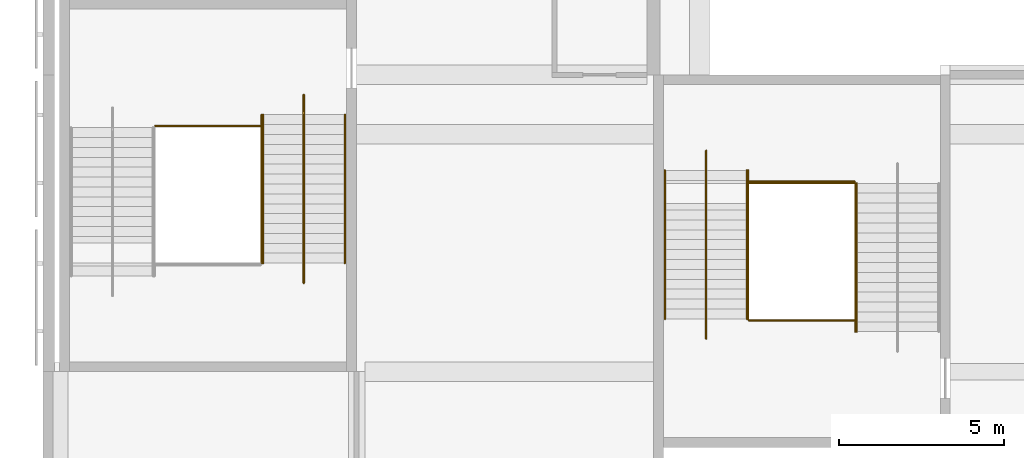
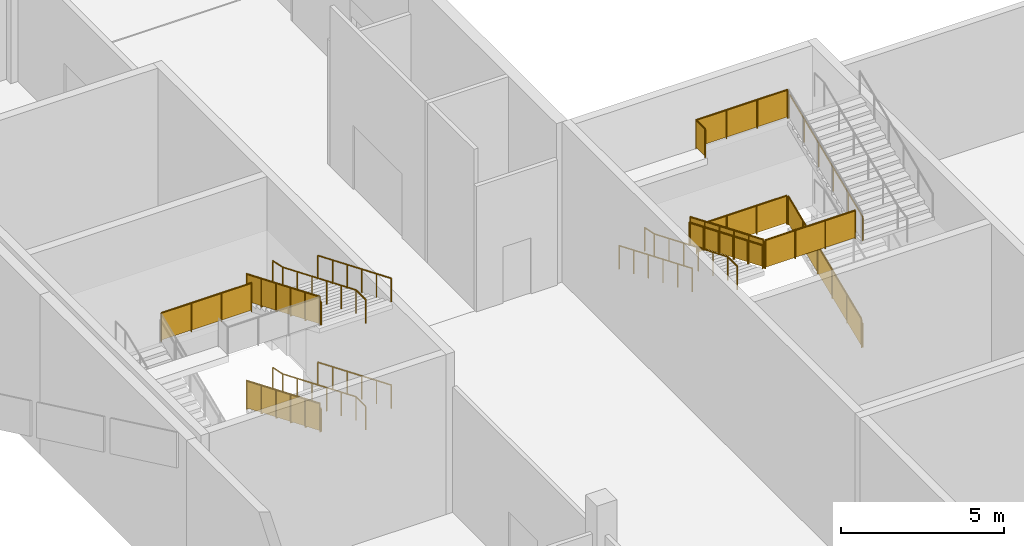
# One storey, part 71 of 89: 19 railings.
"""IFC4 building model written with IfcOpenShell, lengths in metres."""

from ifc_helpers import new_model, si_unit, direction, frame, origin, origin_2d, place, context, subcontext, project, spatial, polyline, circle, outline, extrude, material, type_object, element, save


model = new_model("IFC4")

# Units and contexts
model_context = context("Model", 3, precision=1e-05, world=origin(), true_north=direction((0.0, 1.0)))
body_context = subcontext(model_context, "Body", "Model", "MODEL_VIEW")
ifc_project = project(units=[si_unit("LENGTHUNIT", "METRE"), si_unit("AREAUNIT", "SQUARE_METRE"), si_unit("VOLUMEUNIT", "CUBIC_METRE"), si_unit("PLANEANGLEUNIT", "RADIAN"), si_unit("MASSUNIT", "GRAM", prefix="KILO")], contexts=[model_context])

# Site, building, storey
site_placement = place(None, origin())
site = spatial("IfcSite", under=ifc_project, at=site_placement, CompositionType="ELEMENT")
building_placement = place(site_placement, origin())
building = spatial("IfcBuilding", under=site, at=building_placement, Name="Silverbay Arena", CompositionType="ELEMENT")
storey_placement = place(building_placement, frame((0.0, 0.0, 22.0)))
storey = spatial("IfcBuildingStorey", under=building, at=storey_placement, Name="L03", CompositionType="ELEMENT", Elevation=22.0)

# Railings
ifc_material_1 = material(Name="Stainless steel", Category="steel")
railing_type_1 = type_object("IfcRailingType", Name="Stair guard 1100", PredefinedType="GUARDRAIL", material=ifc_material_1)
railing_1_placement = place(storey_placement, frame((60.125, 61.7900390625, 0.125)))
element("IfcRailing", 1, at=railing_1_placement, inside=storey, type_object=railing_type_1, Name="Stair ST-W1 L03 to L04 flight 1 guard right", PredefinedType="GUARDRAIL", context=body_context, shape_type="SweptSolid", body=[
    extrude(circle(Radius=0.02392578125, at=origin_2d()), frame((0.0, 0.0, 1.076171875), z_axis=(0.0, -0.923076923077, 0.384615384615), x_axis=(1.0, 0.0, 0.0)), (0.0, 0.0, 1.0), 4.875),
    extrude(outline(polyline([(-0.008056640625, 0.046630859375), (0.907958984375, 0.42822265625), (0.907958984375, 1.431396484375), (-0.008056640625, 1.049560546875), (-0.008056640625, 0.046630859375)])), frame((0.0029296875, 0.0, 0.0), z_axis=(-1.0, 0.0, 0.0), x_axis=(0.0, -1.0, 0.0)), (0.0, 0.0, 1.0), 0.006103515625),
    extrude(outline(polyline([(-0.008056640625, 0.421630859375), (0.907958984375, 0.80322265625), (0.907958984375, 1.806396484375), (-0.008056640625, 1.424560546875), (-0.008056640625, 0.421630859375)])), frame((0.0029296875, -0.89990234375, 0.0), z_axis=(-1.0, 0.0, 0.0), x_axis=(0.0, -1.0, 0.0)), (0.0, 0.0, 1.0), 0.006103515625),
    extrude(outline(polyline([(-0.008056640625, 0.796630859375), (0.907958984375, 1.17822265625), (0.907958984375, 2.181396484375), (-0.008056640625, 1.799560546875), (-0.008056640625, 0.796630859375)])), frame((0.0029296875, -1.800048828125, 0.0), z_axis=(-1.0, 0.0, 0.0), x_axis=(0.0, -1.0, 0.0)), (0.0, 0.0, 1.0), 0.006103515625),
    extrude(outline(polyline([(-0.008056640625, 1.171630859375), (0.907958984375, 1.55322265625), (0.907958984375, 2.556396484375), (-0.008056640625, 2.174560546875), (-0.008056640625, 1.171630859375)])), frame((0.0029296875, -2.699951171875, 0.0), z_axis=(-1.0, 0.0, 0.0), x_axis=(0.0, -1.0, 0.0)), (0.0, 0.0, 1.0), 0.006103515625),
    extrude(outline(polyline([(-0.008056640625, 1.546630859375), (0.907958984375, 1.92822265625), (0.907958984375, 2.931396484375), (-0.008056640625, 2.549560546875), (-0.008056640625, 1.546630859375)])), frame((0.0029296875, -3.60009765625, 0.0), z_axis=(-1.0, 0.0, 0.0), x_axis=(0.0, -1.0, 0.0)), (0.0, 0.0, 1.0), 0.006103515625),
    extrude(circle(Radius=0.02099609375, at=origin_2d()), origin(), (0.0, 0.0, 1.0), 1.052001953125),
    extrude(circle(Radius=0.02099609375, at=origin_2d()), frame((0.0, -0.89990234375, 0.375)), (0.0, 0.0, 1.0), 1.052001953125),
    extrude(circle(Radius=0.02099609375, at=origin_2d()), frame((0.0, -1.800048828125, 0.75)), (0.0, 0.0, 1.0), 1.052001953125),
    extrude(circle(Radius=0.02099609375, at=origin_2d()), frame((0.0, -2.699951171875, 1.125)), (0.0, 0.0, 1.0), 1.052001953125),
    extrude(circle(Radius=0.02099609375, at=origin_2d()), frame((0.0, -3.60009765625, 1.5)), (0.0, 0.0, 1.0), 1.052001953125),
    extrude(circle(Radius=0.02099609375, at=origin_2d()), frame((0.0, -4.5, 1.875)), (0.0, 0.0, 1.0), 1.052001953125),
])
railing_2_placement = place(storey_placement, frame((60.125, 61.7900390625, 4.125)))
element("IfcRailing", 2, at=railing_2_placement, inside=storey, type_object=railing_type_1, Name="Stair ST-W1 L03 to L04 flight 3 guard right", PredefinedType="GUARDRAIL", context=body_context, shape_type="SweptSolid", body=[
    extrude(circle(Radius=0.02392578125, at=origin_2d()), frame((0.0, 0.0, 1.076171875), z_axis=(0.0, -0.923076923077, 0.384615384615), x_axis=(1.0, 0.0, 0.0)), (0.0, 0.0, 1.0), 4.875),
    extrude(outline(polyline([(-0.008056640625, 0.046630859375), (0.907958984375, 0.42822265625), (0.907958984375, 1.431396484375), (-0.008056640625, 1.049560546875), (-0.008056640625, 0.046630859375)])), frame((0.0029296875, 0.0, 0.0), z_axis=(-1.0, 0.0, 0.0), x_axis=(0.0, -1.0, 0.0)), (0.0, 0.0, 1.0), 0.006103515625),
    extrude(outline(polyline([(-0.008056640625, 0.421630859375), (0.907958984375, 0.80322265625), (0.907958984375, 1.806396484375), (-0.008056640625, 1.424560546875), (-0.008056640625, 0.421630859375)])), frame((0.0029296875, -0.89990234375, 0.0), z_axis=(-1.0, 0.0, 0.0), x_axis=(0.0, -1.0, 0.0)), (0.0, 0.0, 1.0), 0.006103515625),
    extrude(outline(polyline([(-0.008056640625, 0.796630859375), (0.907958984375, 1.17822265625), (0.907958984375, 2.181396484375), (-0.008056640625, 1.799560546875), (-0.008056640625, 0.796630859375)])), frame((0.0029296875, -1.800048828125, 0.0), z_axis=(-1.0, 0.0, 0.0), x_axis=(0.0, -1.0, 0.0)), (0.0, 0.0, 1.0), 0.006103515625),
    extrude(outline(polyline([(-0.008056640625, 1.171630859375), (0.907958984375, 1.55322265625), (0.907958984375, 2.556396484375), (-0.008056640625, 2.174560546875), (-0.008056640625, 1.171630859375)])), frame((0.0029296875, -2.699951171875, 0.0), z_axis=(-1.0, 0.0, 0.0), x_axis=(0.0, -1.0, 0.0)), (0.0, 0.0, 1.0), 0.006103515625),
    extrude(outline(polyline([(-0.008056640625, 1.546630859375), (0.907958984375, 1.92822265625), (0.907958984375, 2.931396484375), (-0.008056640625, 2.549560546875), (-0.008056640625, 1.546630859375)])), frame((0.0029296875, -3.60009765625, 0.0), z_axis=(-1.0, 0.0, 0.0), x_axis=(0.0, -1.0, 0.0)), (0.0, 0.0, 1.0), 0.006103515625),
    extrude(circle(Radius=0.02099609375, at=origin_2d()), origin(), (0.0, 0.0, 1.0), 1.052001953125),
    extrude(circle(Radius=0.02099609375, at=origin_2d()), frame((0.0, -0.89990234375, 0.375)), (0.0, 0.0, 1.0), 1.052001953125),
    extrude(circle(Radius=0.02099609375, at=origin_2d()), frame((0.0, -1.800048828125, 0.75)), (0.0, 0.0, 1.0), 1.052001953125),
    extrude(circle(Radius=0.02099609375, at=origin_2d()), frame((0.0, -2.699951171875, 1.125)), (0.0, 0.0, 1.0), 1.052001953125),
    extrude(circle(Radius=0.02099609375, at=origin_2d()), frame((0.0, -3.60009765625, 1.5)), (0.0, 0.0, 1.0), 1.052001953125),
    extrude(circle(Radius=0.02099609375, at=origin_2d()), frame((0.0, -4.5, 1.875)), (0.0, 0.0, 1.0), 1.052001953125),
])
railing_3_placement = place(storey_placement, frame((60.10009765625, 61.449951171875, 4.0)))
element("IfcRailing", 3, at=railing_3_placement, inside=storey, type_object=railing_type_1, Name="Stair ST-W1 L03 to L04 landing 2 guard", PredefinedType="GUARDRAIL", context=body_context, shape_type="SweptSolid", body=[
    extrude(circle(Radius=0.02392578125, at=origin_2d()), frame((0.0, 0.0, 1.076171875), z_axis=(-1.0, 0.0, 0.0), x_axis=(0.0, -1.0, 0.0)), (0.0, 0.0, 1.0), 3.2001953125),
    extrude(outline(polyline([(-0.008056640625, 0.050048828125), (1.07470703125, 0.050048828125), (1.07470703125, 1.052978515625), (-0.008056640625, 1.052978515625), (-0.008056640625, 0.050048828125)])), frame((0.0, -0.0029296875, 0.0), z_axis=(0.0, 1.0, 0.0), x_axis=(-1.0, 0.0, 0.0)), (0.0, 0.0, 1.0), 0.006103515625),
    extrude(outline(polyline([(-0.008056640625, 0.050048828125), (1.07470703125, 0.050048828125), (1.07470703125, 1.052978515625), (-0.008056640625, 1.052978515625), (-0.008056640625, 0.050048828125)])), frame((-1.066650390625, -0.0029296875, 0.0), z_axis=(0.0, 1.0, 0.0), x_axis=(-1.0, 0.0, 0.0)), (0.0, 0.0, 1.0), 0.006103515625),
    extrude(outline(polyline([(-0.008056640625, 0.050048828125), (1.07470703125, 0.050048828125), (1.07470703125, 1.052978515625), (-0.008056640625, 1.052978515625), (-0.008056640625, 0.050048828125)])), frame((-2.133544921875, -0.0029296875, 0.0), z_axis=(0.0, 1.0, 0.0), x_axis=(-1.0, 0.0, 0.0)), (0.0, 0.0, 1.0), 0.006103515625),
    extrude(circle(Radius=0.02099609375, at=origin_2d()), origin(), (0.0, 0.0, 1.0), 1.052001953125),
    extrude(circle(Radius=0.02099609375, at=origin_2d()), frame((-1.066650390625, 0.0, 0.0)), (0.0, 0.0, 1.0), 1.052001953125),
    extrude(circle(Radius=0.02099609375, at=origin_2d()), frame((-2.133544921875, 0.0, 0.0)), (0.0, 0.0, 1.0), 1.052001953125),
    extrude(circle(Radius=0.02099609375, at=origin_2d()), frame((-3.2001953125, 0.0, 0.0)), (0.0, 0.0, 1.0), 1.052001953125),
])
railing_4_placement = place(storey_placement, frame((78.125, 55.2099609375, 0.125)))
element("IfcRailing", 4, at=railing_4_placement, inside=storey, type_object=railing_type_1, Name="Stair ST-SW2 L03 to L04 flight 1 guard right", PredefinedType="GUARDRAIL", context=body_context, shape_type="SweptSolid", body=[
    extrude(circle(Radius=0.02392578125, at=origin_2d()), frame((0.0, 0.0, 1.076171875), z_axis=(0.0, 0.923076923077, 0.384615384615), x_axis=(-1.0, 0.0, 0.0)), (0.0, 0.0, 1.0), 4.875),
    extrude(outline(polyline([(-0.008056640625, 0.046630859375), (0.907958984375, 0.42822265625), (0.907958984375, 1.431396484375), (-0.008056640625, 1.049560546875), (-0.008056640625, 0.046630859375)])), frame((-0.0029296875, 0.0, 0.0), z_axis=(1.0, 0.0, 0.0), x_axis=(0.0, 1.0, 0.0)), (0.0, 0.0, 1.0), 0.006103515625),
    extrude(outline(polyline([(-0.008056640625, 0.421630859375), (0.907958984375, 0.80322265625), (0.907958984375, 1.806396484375), (-0.008056640625, 1.424560546875), (-0.008056640625, 0.421630859375)])), frame((-0.0029296875, 0.89990234375, 0.0), z_axis=(1.0, 0.0, 0.0), x_axis=(0.0, 1.0, 0.0)), (0.0, 0.0, 1.0), 0.006103515625),
    extrude(outline(polyline([(-0.008056640625, 0.796630859375), (0.907958984375, 1.17822265625), (0.907958984375, 2.181396484375), (-0.008056640625, 1.799560546875), (-0.008056640625, 0.796630859375)])), frame((-0.0029296875, 1.800048828125, 0.0), z_axis=(1.0, 0.0, 0.0), x_axis=(0.0, 1.0, 0.0)), (0.0, 0.0, 1.0), 0.006103515625),
    extrude(outline(polyline([(-0.008056640625, 1.171630859375), (0.907958984375, 1.55322265625), (0.907958984375, 2.556396484375), (-0.008056640625, 2.174560546875), (-0.008056640625, 1.171630859375)])), frame((-0.0029296875, 2.699951171875, 0.0), z_axis=(1.0, 0.0, 0.0), x_axis=(0.0, 1.0, 0.0)), (0.0, 0.0, 1.0), 0.006103515625),
    extrude(outline(polyline([(-0.008056640625, 1.546630859375), (0.907958984375, 1.92822265625), (0.907958984375, 2.931396484375), (-0.008056640625, 2.549560546875), (-0.008056640625, 1.546630859375)])), frame((-0.0029296875, 3.60009765625, 0.0), z_axis=(1.0, 0.0, 0.0), x_axis=(0.0, 1.0, 0.0)), (0.0, 0.0, 1.0), 0.006103515625),
    extrude(circle(Radius=0.02099609375, at=origin_2d()), origin(), (0.0, 0.0, 1.0), 1.052001953125),
    extrude(circle(Radius=0.02099609375, at=origin_2d()), frame((0.0, 0.89990234375, 0.375)), (0.0, 0.0, 1.0), 1.052001953125),
    extrude(circle(Radius=0.02099609375, at=origin_2d()), frame((0.0, 1.800048828125, 0.75)), (0.0, 0.0, 1.0), 1.052001953125),
    extrude(circle(Radius=0.02099609375, at=origin_2d()), frame((0.0, 2.699951171875, 1.125)), (0.0, 0.0, 1.0), 1.052001953125),
    extrude(circle(Radius=0.02099609375, at=origin_2d()), frame((0.0, 3.60009765625, 1.5)), (0.0, 0.0, 1.0), 1.052001953125),
    extrude(circle(Radius=0.02099609375, at=origin_2d()), frame((0.0, 4.5, 1.875)), (0.0, 0.0, 1.0), 1.052001953125),
])
railing_5_placement = place(storey_placement, frame((74.875, 60.10009765625, 2.125)))
element("IfcRailing", 5, at=railing_5_placement, inside=storey, type_object=railing_type_1, Name="Stair ST-SW2 L03 to L04 flight 2 guard left", PredefinedType="GUARDRAIL", context=body_context, shape_type="SweptSolid", body=[
    extrude(circle(Radius=0.02392578125, at=origin_2d()), frame((0.0, 0.0, 1.076171875), z_axis=(0.0, -0.923076923077, 0.384615384615), x_axis=(1.0, 0.0, 0.0)), (0.0, 0.0, 1.0), 4.875),
    extrude(outline(polyline([(-0.008056640625, 0.046630859375), (0.907958984375, 0.42822265625), (0.907958984375, 1.431396484375), (-0.008056640625, 1.049560546875), (-0.008056640625, 0.046630859375)])), frame((0.0029296875, 0.0, 0.0), z_axis=(-1.0, 0.0, 0.0), x_axis=(0.0, -1.0, 0.0)), (0.0, 0.0, 1.0), 0.006103515625),
    extrude(outline(polyline([(-0.008056640625, 0.421630859375), (0.907958984375, 0.80322265625), (0.907958984375, 1.806396484375), (-0.008056640625, 1.424560546875), (-0.008056640625, 0.421630859375)])), frame((0.0029296875, -0.89990234375, 0.0), z_axis=(-1.0, 0.0, 0.0), x_axis=(0.0, -1.0, 0.0)), (0.0, 0.0, 1.0), 0.006103515625),
    extrude(outline(polyline([(-0.008056640625, 0.796630859375), (0.907958984375, 1.17822265625), (0.907958984375, 2.181396484375), (-0.008056640625, 1.799560546875), (-0.008056640625, 0.796630859375)])), frame((0.0029296875, -1.800048828125, 0.0), z_axis=(-1.0, 0.0, 0.0), x_axis=(0.0, -1.0, 0.0)), (0.0, 0.0, 1.0), 0.006103515625),
    extrude(outline(polyline([(-0.008056640625, 1.171630859375), (0.907958984375, 1.55322265625), (0.907958984375, 2.556396484375), (-0.008056640625, 2.174560546875), (-0.008056640625, 1.171630859375)])), frame((0.0029296875, -2.699951171875, 0.0), z_axis=(-1.0, 0.0, 0.0), x_axis=(0.0, -1.0, 0.0)), (0.0, 0.0, 1.0), 0.006103515625),
    extrude(outline(polyline([(-0.008056640625, 1.546630859375), (0.907958984375, 1.92822265625), (0.907958984375, 2.931396484375), (-0.008056640625, 2.549560546875), (-0.008056640625, 1.546630859375)])), frame((0.0029296875, -3.60009765625, 0.0), z_axis=(-1.0, 0.0, 0.0), x_axis=(0.0, -1.0, 0.0)), (0.0, 0.0, 1.0), 0.006103515625),
    extrude(circle(Radius=0.02099609375, at=origin_2d()), origin(), (0.0, 0.0, 1.0), 1.052001953125),
    extrude(circle(Radius=0.02099609375, at=origin_2d()), frame((0.0, -0.89990234375, 0.375)), (0.0, 0.0, 1.0), 1.052001953125),
    extrude(circle(Radius=0.02099609375, at=origin_2d()), frame((0.0, -1.800048828125, 0.75)), (0.0, 0.0, 1.0), 1.052001953125),
    extrude(circle(Radius=0.02099609375, at=origin_2d()), frame((0.0, -2.699951171875, 1.125)), (0.0, 0.0, 1.0), 1.052001953125),
    extrude(circle(Radius=0.02099609375, at=origin_2d()), frame((0.0, -3.60009765625, 1.5)), (0.0, 0.0, 1.0), 1.052001953125),
    extrude(circle(Radius=0.02099609375, at=origin_2d()), frame((0.0, -4.5, 1.875)), (0.0, 0.0, 1.0), 1.052001953125),
])
for number, where, name in (
    (6, (78.10009765625, 59.760009765625, 2.0), "Stair ST-SW2 L03 to L04 landing 1 guard"),
    (7, (78.10009765625, 55.550048828125, 4.0), "Stair ST-SW2 L03 to L04 landing 2 guard"),
):
    element("IfcRailing", number, at=place(storey_placement, frame(where)), inside=storey, type_object=railing_type_1, Name=name, PredefinedType="GUARDRAIL", context=body_context, shape_type="SweptSolid", body=[
        extrude(circle(Radius=0.02392578125, at=origin_2d()), frame((0.0, 0.0, 1.076171875), z_axis=(-1.0, 0.0, 0.0), x_axis=(0.0, -1.0, 0.0)), (0.0, 0.0, 1.0), 3.2001953125),
        extrude(outline(polyline([(-0.008056640625, 0.050048828125), (1.07470703125, 0.050048828125), (1.07470703125, 1.052978515625), (-0.008056640625, 1.052978515625), (-0.008056640625, 0.050048828125)])), frame((0.0, -0.0029296875, 0.0), z_axis=(0.0, 1.0, 0.0), x_axis=(-1.0, 0.0, 0.0)), (0.0, 0.0, 1.0), 0.006103515625),
        extrude(outline(polyline([(-0.008056640625, 0.050048828125), (1.07470703125, 0.050048828125), (1.07470703125, 1.052978515625), (-0.008056640625, 1.052978515625), (-0.008056640625, 0.050048828125)])), frame((-1.066650390625, -0.0029296875, 0.0), z_axis=(0.0, 1.0, 0.0), x_axis=(-1.0, 0.0, 0.0)), (0.0, 0.0, 1.0), 0.006103515625),
        extrude(outline(polyline([(-0.008056640625, 0.050048828125), (1.07470703125, 0.050048828125), (1.07470703125, 1.052978515625), (-0.008056640625, 1.052978515625), (-0.008056640625, 0.050048828125)])), frame((-2.133544921875, -0.0029296875, 0.0), z_axis=(0.0, 1.0, 0.0), x_axis=(-1.0, 0.0, 0.0)), (0.0, 0.0, 1.0), 0.006103515625),
        extrude(circle(Radius=0.02099609375, at=origin_2d()), origin(), (0.0, 0.0, 1.0), 1.052001953125),
        extrude(circle(Radius=0.02099609375, at=origin_2d()), frame((-1.066650390625, 0.0, 0.0)), (0.0, 0.0, 1.0), 1.052001953125),
        extrude(circle(Radius=0.02099609375, at=origin_2d()), frame((-2.133544921875, 0.0, 0.0)), (0.0, 0.0, 1.0), 1.052001953125),
        extrude(circle(Radius=0.02099609375, at=origin_2d()), frame((-3.2001953125, 0.0, 0.0)), (0.0, 0.0, 1.0), 1.052001953125),
    ])
railing_6_placement = place(storey_placement, frame((74.85009765625, 59.14990234375, 6.0)))
element("IfcRailing", 8, at=railing_6_placement, inside=storey, type_object=railing_type_1, Name="Stair ST-SW2 L03 to L04 landing 3 guard", PredefinedType="GUARDRAIL", context=body_context, shape_type="SweptSolid", body=[
    extrude(circle(Radius=0.02392578125, at=origin_2d()), frame((0.0, 0.0, 1.076171875), z_axis=(0.0, 1.0, 0.0), x_axis=(-1.0, 0.0, 0.0)), (0.0, 0.0, 1.0), 0.56005859375),
    extrude(outline(polyline([(-0.008056640625, 0.050048828125), (0.568115234375, 0.050048828125), (0.568115234375, 1.052978515625), (-0.008056640625, 1.052978515625), (-0.008056640625, 0.050048828125)])), frame((-0.0029296875, 0.0, 0.0), z_axis=(1.0, 0.0, 0.0), x_axis=(0.0, 1.0, 0.0)), (0.0, 0.0, 1.0), 0.006103515625),
    extrude(circle(Radius=0.02392578125, at=origin_2d()), frame((0.0, 0.56005859375, 1.076171875), z_axis=(1.0, 0.0, 0.0), x_axis=(0.0, 1.0, 0.0)), (0.0, 0.0, 1.0), 3.25),
    extrude(outline(polyline([(-0.008056640625, 0.050048828125), (1.09130859375, 0.050048828125), (1.09130859375, 1.052978515625), (-0.008056640625, 1.052978515625), (-0.008056640625, 0.050048828125)])), frame((0.0, 0.56298828125, 0.0), z_axis=(0.0, -1.0, 0.0), x_axis=(1.0, 0.0, 0.0)), (0.0, 0.0, 1.0), 0.006103515625),
    extrude(outline(polyline([(-0.008056640625, 0.050048828125), (1.09130859375, 0.050048828125), (1.09130859375, 1.052978515625), (-0.008056640625, 1.052978515625), (-0.008056640625, 0.050048828125)])), frame((1.083251953125, 0.56298828125, 0.0), z_axis=(0.0, -1.0, 0.0), x_axis=(1.0, 0.0, 0.0)), (0.0, 0.0, 1.0), 0.006103515625),
    extrude(outline(polyline([(-0.008056640625, 0.050048828125), (1.09130859375, 0.050048828125), (1.09130859375, 1.052978515625), (-0.008056640625, 1.052978515625), (-0.008056640625, 0.050048828125)])), frame((2.166748046875, 0.56298828125, 0.0), z_axis=(0.0, -1.0, 0.0), x_axis=(1.0, 0.0, 0.0)), (0.0, 0.0, 1.0), 0.006103515625),
    extrude(circle(Radius=0.02099609375, at=origin_2d()), origin(), (0.0, 0.0, 1.0), 1.052001953125),
    extrude(circle(Radius=0.02099609375, at=origin_2d()), frame((0.0, 0.56005859375, 0.0)), (0.0, 0.0, 1.0), 1.052001953125),
    extrude(circle(Radius=0.02099609375, at=origin_2d()), frame((1.083251953125, 0.56005859375, 0.0)), (0.0, 0.0, 1.0), 1.052001953125),
    extrude(circle(Radius=0.02099609375, at=origin_2d()), frame((2.166748046875, 0.56005859375, 0.0)), (0.0, 0.0, 1.0), 1.052001953125),
    extrude(circle(Radius=0.02099609375, at=origin_2d()), frame((3.25, 0.56005859375, 0.0)), (0.0, 0.0, 1.0), 1.052001953125),
])
ifc_material_2 = material(Name="Stainless steel", Category="steel")
railing_type_2 = type_object("IfcRailingType", Name="Stair handrail 900", PredefinedType="HANDRAIL", material=ifc_material_2)
for number, where, name in (
    (9, (62.64990234375, 61.7900390625, 0.125), "Stair ST-W1 L03 to L04 flight 1 handrail left"),
    (10, (60.1640625, 61.7900390625, 0.125), "Stair ST-W1 L03 to L04 flight 1 handrail right"),
):
    element("IfcRailing", number, at=place(storey_placement, frame(where)), inside=storey, type_object=railing_type_2, Name=name, PredefinedType="HANDRAIL", context=body_context, shape_type="SweptSolid", body=[
        extrude(circle(Radius=0.02392578125, at=origin_2d()), frame((0.0, 0.0, 0.8759765625), z_axis=(0.0, -0.923076923077, 0.384615384615), x_axis=(1.0, 0.0, 0.0)), (0.0, 0.0, 1.0), 4.875),
        extrude(circle(Radius=0.02099609375, at=origin_2d()), origin(), (0.0, 0.0, 1.0), 0.851806640625),
        extrude(circle(Radius=0.02099609375, at=origin_2d()), frame((0.0, -0.89990234375, 0.375)), (0.0, 0.0, 1.0), 0.851806640625),
        extrude(circle(Radius=0.02099609375, at=origin_2d()), frame((0.0, -1.800048828125, 0.75)), (0.0, 0.0, 1.0), 0.851806640625),
        extrude(circle(Radius=0.02099609375, at=origin_2d()), frame((0.0, -2.699951171875, 1.125)), (0.0, 0.0, 1.0), 0.851806640625),
        extrude(circle(Radius=0.02099609375, at=origin_2d()), frame((0.0, -3.60009765625, 1.5)), (0.0, 0.0, 1.0), 0.851806640625),
        extrude(circle(Radius=0.02099609375, at=origin_2d()), frame((0.0, -4.5, 1.875)), (0.0, 0.0, 1.0), 0.851806640625),
    ])
railing_7_placement = place(storey_placement, frame((61.39990234375, 62.389892578125, 0.0)))
element("IfcRailing", 11, at=railing_7_placement, inside=storey, type_object=railing_type_2, Name="Stair ST-W1 L03 to L04 flight 1 central handrail", PredefinedType="HANDRAIL", context=body_context, shape_type="SweptSolid", body=[
    extrude(circle(Radius=0.02392578125, at=origin_2d()), frame((0.0, 0.0, 0.8759765625), z_axis=(0.0, -0.978970474113, 0.20400198728), x_axis=(1.0, 0.0, 0.0)), (0.0, 0.0, 1.0), 0.61279296875),
    extrude(circle(Radius=0.02392578125, at=origin_2d()), frame((0.0, -0.599853515625, 1.0009765625), z_axis=(0.0, -0.923076923077, 0.384615384615), x_axis=(1.0, 0.0, 0.0)), (0.0, 0.0, 1.0), 4.875),
    extrude(circle(Radius=0.02392578125, at=origin_2d()), frame((0.0, -5.099853515625, 2.8759765625), z_axis=(0.0, -1.0, 0.0), x_axis=(1.0, 0.0, 0.0)), (0.0, 0.0, 1.0), 0.60009765625),
    extrude(circle(Radius=0.02099609375, at=origin_2d()), origin(), (0.0, 0.0, 1.0), 0.851806640625),
    extrude(circle(Radius=0.02099609375, at=origin_2d()), frame((0.0, -0.599853515625, 0.125)), (0.0, 0.0, 1.0), 0.851806640625),
    extrude(circle(Radius=0.02099609375, at=origin_2d()), frame((0.0, -1.499755859375, 0.5)), (0.0, 0.0, 1.0), 0.851806640625),
    extrude(circle(Radius=0.02099609375, at=origin_2d()), frame((0.0, -2.39990234375, 0.875)), (0.0, 0.0, 1.0), 0.851806640625),
    extrude(circle(Radius=0.02099609375, at=origin_2d()), frame((0.0, -3.2998046875, 1.25)), (0.0, 0.0, 1.0), 0.851806640625),
    extrude(circle(Radius=0.02099609375, at=origin_2d()), frame((0.0, -4.199951171875, 1.625)), (0.0, 0.0, 1.0), 0.851806640625),
    extrude(circle(Radius=0.02099609375, at=origin_2d()), frame((0.0, -5.099853515625, 2.0)), (0.0, 0.0, 1.0), 0.851806640625),
    extrude(circle(Radius=0.02099609375, at=origin_2d()), frame((0.0, -5.699951171875, 2.0)), (0.0, 0.0, 1.0), 0.851806640625),
])
for number, where, name in (
    (12, (62.64990234375, 61.7900390625, 4.125), "Stair ST-W1 L03 to L04 flight 3 handrail left"),
    (13, (60.1640625, 61.7900390625, 4.125), "Stair ST-W1 L03 to L04 flight 3 handrail right"),
):
    element("IfcRailing", number, at=place(storey_placement, frame(where)), inside=storey, type_object=railing_type_2, Name=name, PredefinedType="HANDRAIL", context=body_context, shape_type="SweptSolid", body=[
        extrude(circle(Radius=0.02392578125, at=origin_2d()), frame((0.0, 0.0, 0.8759765625), z_axis=(0.0, -0.923076923077, 0.384615384615), x_axis=(1.0, 0.0, 0.0)), (0.0, 0.0, 1.0), 4.875),
        extrude(circle(Radius=0.02099609375, at=origin_2d()), origin(), (0.0, 0.0, 1.0), 0.851806640625),
        extrude(circle(Radius=0.02099609375, at=origin_2d()), frame((0.0, -0.89990234375, 0.375)), (0.0, 0.0, 1.0), 0.851806640625),
        extrude(circle(Radius=0.02099609375, at=origin_2d()), frame((0.0, -1.800048828125, 0.75)), (0.0, 0.0, 1.0), 0.851806640625),
        extrude(circle(Radius=0.02099609375, at=origin_2d()), frame((0.0, -2.699951171875, 1.125)), (0.0, 0.0, 1.0), 0.851806640625),
        extrude(circle(Radius=0.02099609375, at=origin_2d()), frame((0.0, -3.60009765625, 1.5)), (0.0, 0.0, 1.0), 0.851806640625),
        extrude(circle(Radius=0.02099609375, at=origin_2d()), frame((0.0, -4.5, 1.875)), (0.0, 0.0, 1.0), 0.851806640625),
    ])
railing_8_placement = place(storey_placement, frame((61.39990234375, 62.389892578125, 4.0)))
element("IfcRailing", 14, at=railing_8_placement, inside=storey, type_object=railing_type_2, Name="Stair ST-W1 L03 to L04 flight 3 central handrail", PredefinedType="HANDRAIL", context=body_context, shape_type="SweptSolid", body=[
    extrude(circle(Radius=0.02392578125, at=origin_2d()), frame((0.0, 0.0, 0.8759765625), z_axis=(0.0, -0.978970474113, 0.20400198728), x_axis=(1.0, 0.0, 0.0)), (0.0, 0.0, 1.0), 0.61279296875),
    extrude(circle(Radius=0.02392578125, at=origin_2d()), frame((0.0, -0.599853515625, 1.0009765625), z_axis=(0.0, -0.923076923077, 0.384615384615), x_axis=(1.0, 0.0, 0.0)), (0.0, 0.0, 1.0), 4.875),
    extrude(circle(Radius=0.02392578125, at=origin_2d()), frame((0.0, -5.099853515625, 2.8759765625), z_axis=(0.0, -1.0, 0.0), x_axis=(1.0, 0.0, 0.0)), (0.0, 0.0, 1.0), 0.60009765625),
    extrude(circle(Radius=0.02099609375, at=origin_2d()), origin(), (0.0, 0.0, 1.0), 0.851806640625),
    extrude(circle(Radius=0.02099609375, at=origin_2d()), frame((0.0, -0.599853515625, 0.125)), (0.0, 0.0, 1.0), 0.851806640625),
    extrude(circle(Radius=0.02099609375, at=origin_2d()), frame((0.0, -1.499755859375, 0.5)), (0.0, 0.0, 1.0), 0.851806640625),
    extrude(circle(Radius=0.02099609375, at=origin_2d()), frame((0.0, -2.39990234375, 0.875)), (0.0, 0.0, 1.0), 0.851806640625),
    extrude(circle(Radius=0.02099609375, at=origin_2d()), frame((0.0, -3.2998046875, 1.25)), (0.0, 0.0, 1.0), 0.851806640625),
    extrude(circle(Radius=0.02099609375, at=origin_2d()), frame((0.0, -4.199951171875, 1.625)), (0.0, 0.0, 1.0), 0.851806640625),
    extrude(circle(Radius=0.02099609375, at=origin_2d()), frame((0.0, -5.099853515625, 2.0)), (0.0, 0.0, 1.0), 0.851806640625),
    extrude(circle(Radius=0.02099609375, at=origin_2d()), frame((0.0, -5.699951171875, 2.0)), (0.0, 0.0, 1.0), 0.851806640625),
])
railing_9_placement = place(storey_placement, frame((78.1640625, 55.2099609375, 0.125)))
element("IfcRailing", 15, at=railing_9_placement, inside=storey, type_object=railing_type_2, Name="Stair ST-SW2 L03 to L04 flight 1 handrail right", PredefinedType="HANDRAIL", context=body_context, shape_type="SweptSolid", body=[
    extrude(circle(Radius=0.02392578125, at=origin_2d()), frame((0.0, 0.0, 0.8759765625), z_axis=(0.0, 0.923076923077, 0.384615384615), x_axis=(-1.0, 0.0, 0.0)), (0.0, 0.0, 1.0), 4.875),
    extrude(circle(Radius=0.02099609375, at=origin_2d()), origin(), (0.0, 0.0, 1.0), 0.851806640625),
    extrude(circle(Radius=0.02099609375, at=origin_2d()), frame((0.0, 0.89990234375, 0.375)), (0.0, 0.0, 1.0), 0.851806640625),
    extrude(circle(Radius=0.02099609375, at=origin_2d()), frame((0.0, 1.800048828125, 0.75)), (0.0, 0.0, 1.0), 0.851806640625),
    extrude(circle(Radius=0.02099609375, at=origin_2d()), frame((0.0, 2.699951171875, 1.125)), (0.0, 0.0, 1.0), 0.851806640625),
    extrude(circle(Radius=0.02099609375, at=origin_2d()), frame((0.0, 3.60009765625, 1.5)), (0.0, 0.0, 1.0), 0.851806640625),
    extrude(circle(Radius=0.02099609375, at=origin_2d()), frame((0.0, 4.5, 1.875)), (0.0, 0.0, 1.0), 0.851806640625),
])
for number, where, name in (
    (16, (74.8359375, 60.10009765625, 2.125), "Stair ST-SW2 L03 to L04 flight 2 handrail left"),
    (17, (72.35009765625, 60.10009765625, 2.125), "Stair ST-SW2 L03 to L04 flight 2 handrail right"),
):
    element("IfcRailing", number, at=place(storey_placement, frame(where)), inside=storey, type_object=railing_type_2, Name=name, PredefinedType="HANDRAIL", context=body_context, shape_type="SweptSolid", body=[
        extrude(circle(Radius=0.02392578125, at=origin_2d()), frame((0.0, 0.0, 0.8759765625), z_axis=(0.0, -0.923076923077, 0.384615384615), x_axis=(1.0, 0.0, 0.0)), (0.0, 0.0, 1.0), 4.875),
        extrude(circle(Radius=0.02099609375, at=origin_2d()), origin(), (0.0, 0.0, 1.0), 0.851806640625),
        extrude(circle(Radius=0.02099609375, at=origin_2d()), frame((0.0, -0.89990234375, 0.375)), (0.0, 0.0, 1.0), 0.851806640625),
        extrude(circle(Radius=0.02099609375, at=origin_2d()), frame((0.0, -1.800048828125, 0.75)), (0.0, 0.0, 1.0), 0.851806640625),
        extrude(circle(Radius=0.02099609375, at=origin_2d()), frame((0.0, -2.699951171875, 1.125)), (0.0, 0.0, 1.0), 0.851806640625),
        extrude(circle(Radius=0.02099609375, at=origin_2d()), frame((0.0, -3.60009765625, 1.5)), (0.0, 0.0, 1.0), 0.851806640625),
        extrude(circle(Radius=0.02099609375, at=origin_2d()), frame((0.0, -4.5, 1.875)), (0.0, 0.0, 1.0), 0.851806640625),
    ])
railing_10_placement = place(storey_placement, frame((73.60009765625, 60.699951171875, 2.0)))
element("IfcRailing", 18, at=railing_10_placement, inside=storey, type_object=railing_type_2, Name="Stair ST-SW2 L03 to L04 flight 2 central handrail", PredefinedType="HANDRAIL", context=body_context, shape_type="SweptSolid", body=[
    extrude(circle(Radius=0.02392578125, at=origin_2d()), frame((0.0, 0.0, 0.8759765625), z_axis=(0.0, -0.978970474113, 0.20400198728), x_axis=(1.0, 0.0, 0.0)), (0.0, 0.0, 1.0), 0.61279296875),
    extrude(circle(Radius=0.02392578125, at=origin_2d()), frame((0.0, -0.599853515625, 1.0009765625), z_axis=(0.0, -0.923076923077, 0.384615384615), x_axis=(1.0, 0.0, 0.0)), (0.0, 0.0, 1.0), 4.875),
    extrude(circle(Radius=0.02392578125, at=origin_2d()), frame((0.0, -5.099853515625, 2.8759765625), z_axis=(0.0, -1.0, 0.0), x_axis=(1.0, 0.0, 0.0)), (0.0, 0.0, 1.0), 0.60009765625),
    extrude(circle(Radius=0.02099609375, at=origin_2d()), origin(), (0.0, 0.0, 1.0), 0.851806640625),
    extrude(circle(Radius=0.02099609375, at=origin_2d()), frame((0.0, -0.599853515625, 0.125)), (0.0, 0.0, 1.0), 0.851806640625),
    extrude(circle(Radius=0.02099609375, at=origin_2d()), frame((0.0, -1.499755859375, 0.5)), (0.0, 0.0, 1.0), 0.851806640625),
    extrude(circle(Radius=0.02099609375, at=origin_2d()), frame((0.0, -2.39990234375, 0.875)), (0.0, 0.0, 1.0), 0.851806640625),
    extrude(circle(Radius=0.02099609375, at=origin_2d()), frame((0.0, -3.2998046875, 1.25)), (0.0, 0.0, 1.0), 0.851806640625),
    extrude(circle(Radius=0.02099609375, at=origin_2d()), frame((0.0, -4.199951171875, 1.625)), (0.0, 0.0, 1.0), 0.851806640625),
    extrude(circle(Radius=0.02099609375, at=origin_2d()), frame((0.0, -5.099853515625, 2.0)), (0.0, 0.0, 1.0), 0.851806640625),
    extrude(circle(Radius=0.02099609375, at=origin_2d()), frame((0.0, -5.699951171875, 2.0)), (0.0, 0.0, 1.0), 0.851806640625),
])
railing_11_placement = place(storey_placement, frame((78.1640625, 55.2099609375, 4.125)))
element("IfcRailing", 19, at=railing_11_placement, inside=storey, type_object=railing_type_2, Name="Stair ST-SW2 L03 to L04 flight 3 handrail right", PredefinedType="HANDRAIL", context=body_context, shape_type="SweptSolid", body=[
    extrude(circle(Radius=0.02392578125, at=origin_2d()), frame((0.0, 0.0, 0.8759765625), z_axis=(0.0, 0.923076923077, 0.384615384615), x_axis=(-1.0, 0.0, 0.0)), (0.0, 0.0, 1.0), 4.875),
    extrude(circle(Radius=0.02099609375, at=origin_2d()), origin(), (0.0, 0.0, 1.0), 0.851806640625),
    extrude(circle(Radius=0.02099609375, at=origin_2d()), frame((0.0, 0.89990234375, 0.375)), (0.0, 0.0, 1.0), 0.851806640625),
    extrude(circle(Radius=0.02099609375, at=origin_2d()), frame((0.0, 1.800048828125, 0.75)), (0.0, 0.0, 1.0), 0.851806640625),
    extrude(circle(Radius=0.02099609375, at=origin_2d()), frame((0.0, 2.699951171875, 1.125)), (0.0, 0.0, 1.0), 0.851806640625),
    extrude(circle(Radius=0.02099609375, at=origin_2d()), frame((0.0, 3.60009765625, 1.5)), (0.0, 0.0, 1.0), 0.851806640625),
    extrude(circle(Radius=0.02099609375, at=origin_2d()), frame((0.0, 4.5, 1.875)), (0.0, 0.0, 1.0), 0.851806640625),
])

save(model, "model.ifc")
